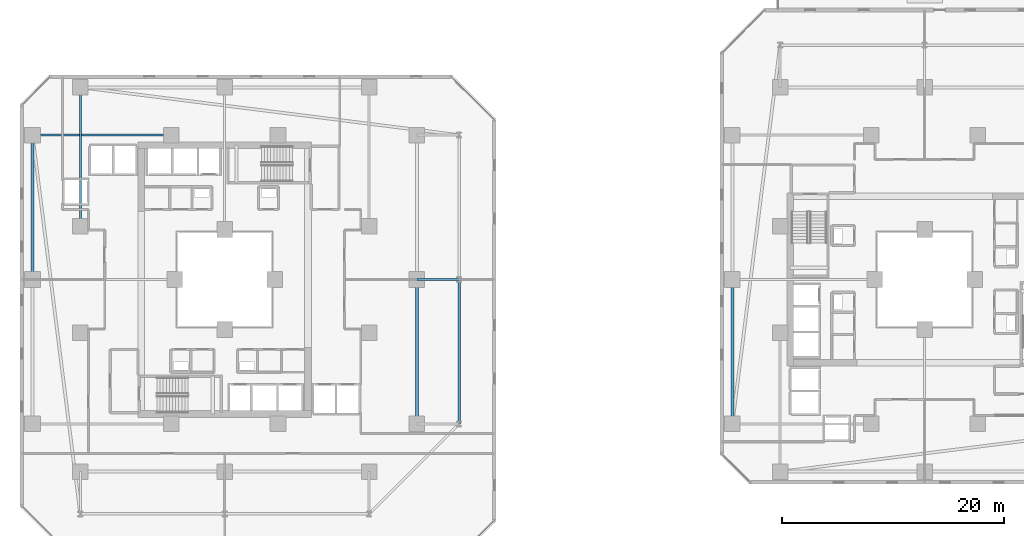
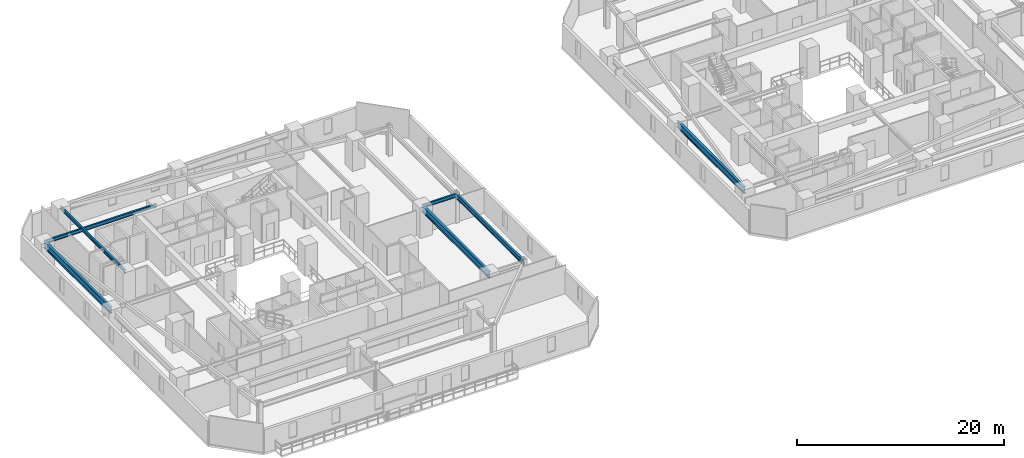
# One storey, part 7 of 34: 7 beams.
"""IFC4 building model written with IfcOpenShell, lengths in metres."""

from ifc_helpers import new_model, si_unit, direction, frame, origin, origin_2d, place, context, subcontext, project, spatial, i_section, extrude, material, material_profile, profile_set, type_object, element, save


model = new_model("IFC4")

# Units and contexts
model_context = context("Model", 3, precision=1e-05, world=origin(), true_north=direction((0.0, 1.0)))
body_context = subcontext(model_context, "Body", "Model", "MODEL_VIEW")
ifc_project = project(units=[si_unit("LENGTHUNIT", "METRE"), si_unit("AREAUNIT", "SQUARE_METRE"), si_unit("VOLUMEUNIT", "CUBIC_METRE"), si_unit("PLANEANGLEUNIT", "RADIAN"), si_unit("MASSUNIT", "GRAM", prefix="KILO")], contexts=[model_context])

# Site, building, storey
site_placement = place(None, origin())
site = spatial("IfcSite", under=ifc_project, at=site_placement, CompositionType="ELEMENT")
building_placement = place(site_placement, origin())
building = spatial("IfcBuilding", under=site, at=building_placement, Name="Thornwick Lancets Civic Towers", CompositionType="ELEMENT")
storey_placement = place(building_placement, frame((0.0, 0.0, 53.699951171875)))
storey = spatial("IfcBuildingStorey", under=building, at=storey_placement, Name="L13", CompositionType="ELEMENT", Elevation=53.699951171875)

# Beams
ifc_material = material(Name="Steel S355JR", Category="steel")
ifc_material_profile_1 = material_profile(ifc_material, i_section(OverallWidth=0.2119140625, OverallDepth=0.54443359375, WebThickness=0.0126953125, FlangeThickness=0.021240234375, FilletRadius=0.0126953125, at=origin_2d()), Name="UKB 533x210x122")
ifc_profile_set_1 = profile_set([ifc_material_profile_1], Name="Steel S355JR")
beam_type_1 = type_object("IfcBeamType", Name="BM_EDGE_533_122", PredefinedType="SPANDREL", material=ifc_profile_set_1)
beam_1_placement = place(storey_placement, frame((46.60009765625, 14.0, 3.087890625), z_axis=(0.0, 1.0, 0.0), x_axis=(-1.0, 0.0, 0.0)))
element("IfcBeam", 1, at=beam_1_placement, inside=storey, type_object=beam_type_1, Name="BM-EDGE-L13-A-S1-1", PredefinedType="SPANDREL", context=body_context, shape_type="SweptSolid", body=[
    extrude(i_section(OverallWidth=0.2119140625, OverallDepth=0.54443359375, WebThickness=0.0126953125, FlangeThickness=0.021240234375, FilletRadius=0.0126953125, at=origin_2d()), origin(), (0.0, 0.0, 1.0), 13.0),
])
ifc_material_profile_2 = material_profile(ifc_material, i_section(OverallWidth=0.26806640625, OverallDepth=0.769775390625, WebThickness=0.015625, FlangeThickness=0.025390625, FilletRadius=0.0166015625, at=origin_2d()), Name="UKB 762x267x197")
ifc_profile_set_2 = profile_set([ifc_material_profile_2], Name="Steel S355JR")
beam_type_2 = type_object("IfcBeamType", Name="BM_GIRD_762_197", PredefinedType="BEAM", material=ifc_profile_set_2)
beam_2_placement = place(storey_placement, frame((42.800048828125, 14.0, 2.97509765625), z_axis=(0.0, 1.0, 0.0), x_axis=(-1.0, 0.0, 0.0)))
element("IfcBeam", 2, at=beam_2_placement, inside=storey, type_object=beam_type_2, Name="BM-SPINE-L13-A-3-4", PredefinedType="BEAM", context=body_context, shape_type="SweptSolid", body=[
    extrude(i_section(OverallWidth=0.26806640625, OverallDepth=0.769775390625, WebThickness=0.015625, FlangeThickness=0.025390625, FilletRadius=0.0166015625, at=origin_2d()), origin(), (0.0, 0.0, 1.0), 13.0),
])
beam_3_placement = place(storey_placement, frame((8.199951171875, 27.080078125, 2.97509765625), z_axis=(0.0, 1.0, 0.0), x_axis=(-1.0, 0.0, 0.0)))
element("IfcBeam", 3, at=beam_3_placement, inside=storey, type_object=beam_type_2, Name="BM-SPINE-L13-A-10-11", PredefinedType="BEAM", context=body_context, shape_type="SweptSolid", body=[
    extrude(i_section(OverallWidth=0.26806640625, OverallDepth=0.769775390625, WebThickness=0.015625, FlangeThickness=0.025390625, FilletRadius=0.0166015625, at=origin_2d()), origin(), (0.0, 0.0, 1.0), 12.919921875),
])
beam_4_placement = place(storey_placement, frame((71.199951171875, 14.0, 2.97509765625), z_axis=(0.0, 1.0, 0.0), x_axis=(-1.0, 0.0, 0.0)))
element("IfcBeam", 4, at=beam_4_placement, inside=storey, type_object=beam_type_2, Name="BM-SPINE-L13-B-6-7", PredefinedType="BEAM", context=body_context, shape_type="SweptSolid", body=[
    extrude(i_section(OverallWidth=0.26806640625, OverallDepth=0.769775390625, WebThickness=0.015625, FlangeThickness=0.025390625, FilletRadius=0.0166015625, at=origin_2d()), origin(), (0.0, 0.0, 1.0), 13.0),
])
ifc_material_profile_3 = material_profile(ifc_material, i_section(OverallWidth=0.179443359375, OverallDepth=0.412841796875, WebThickness=0.009521484375, FlangeThickness=0.01611328125, FilletRadius=0.01025390625, at=origin_2d()), Name="UKB 406x178x74")
ifc_profile_set_3 = profile_set([ifc_material_profile_3], Name="Steel S355JR")
beam_type_3 = type_object("IfcBeamType", Name="BM_JOIST_406_74", PredefinedType="JOIST", material=ifc_profile_set_3)
beam_5_placement = place(storey_placement, frame((42.800048828125, 27.0, 3.153564453125), z_axis=(1.0, 0.0, 0.0), x_axis=(0.0, 1.0, 0.0)))
element("IfcBeam", 5, at=beam_5_placement, inside=storey, type_object=beam_type_3, Name="BM-RAD-L13-A05", PredefinedType="JOIST", context=body_context, shape_type="SweptSolid", body=[
    extrude(i_section(OverallWidth=0.179443359375, OverallDepth=0.412841796875, WebThickness=0.009521484375, FlangeThickness=0.01611328125, FilletRadius=0.01025390625, at=origin_2d()), origin(), (0.0, 0.0, 1.0), 3.800048828125),
])
for number, where, z_axis, x_axis, name in (
    (6, (12.5, 31.800048828125, 3.153564453125), (0.0, 1.0, 0.0), (-1.0, 0.0, 0.0), "BM-RADIN-L13-A07"),
    (7, (20.699951171875, 40.0, 3.153564453125), (-1.0, 0.0, 0.0), (0.0, -1.0, 0.0), "BM-RADIN-L13-A12"),
):
    element("IfcBeam", number, at=place(storey_placement, frame(where, z_axis=z_axis, x_axis=x_axis)), inside=storey, type_object=beam_type_3, Name=name, PredefinedType="JOIST", context=body_context, shape_type="SweptSolid", body=[
        extrude(i_section(OverallWidth=0.179443359375, OverallDepth=0.412841796875, WebThickness=0.009521484375, FlangeThickness=0.01611328125, FilletRadius=0.01025390625, at=origin_2d()), origin(), (0.0, 0.0, 1.0), 12.5),
    ])

save(model, "model.ifc")
